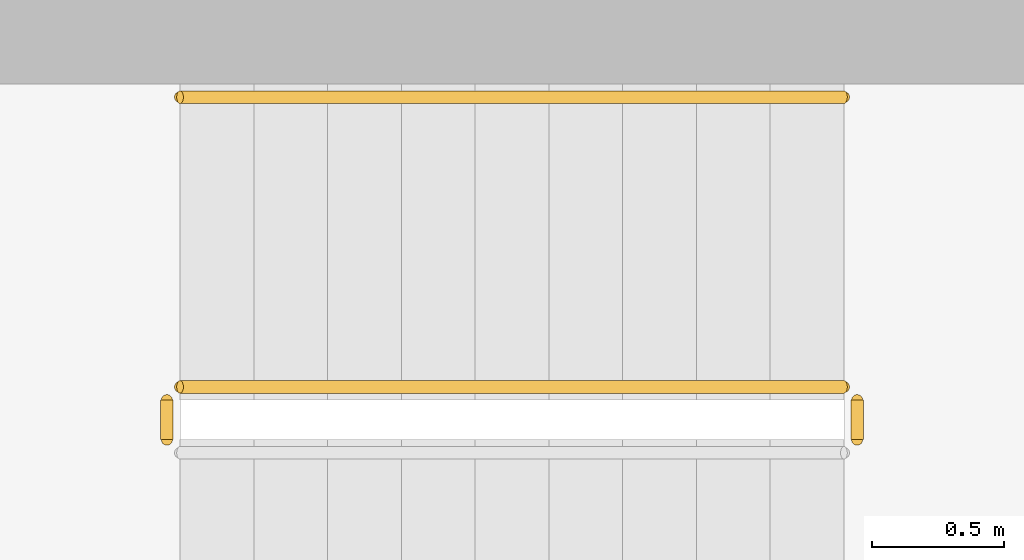
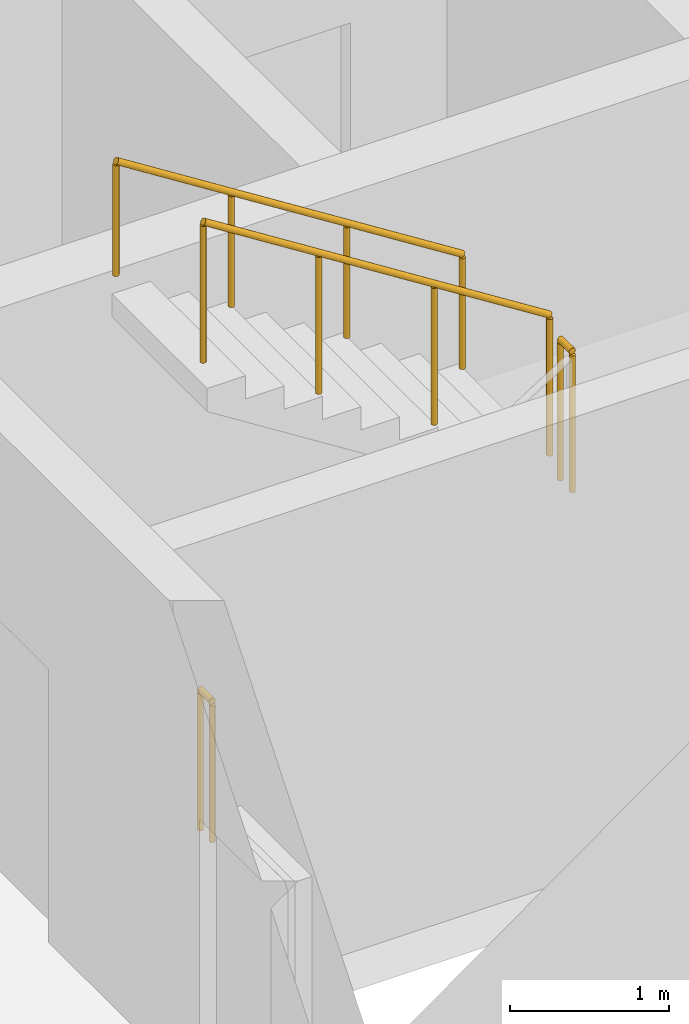
# One storey, part 15 of 17: 4 railings.
"""IFC4 building model written with IfcOpenShell, lengths in metres."""

from ifc_helpers import new_model, si_unit, direction, frame, origin, origin_2d, place, context, subcontext, project, spatial, circle, extrude, material, type_object, element, save


model = new_model("IFC4")

# Units and contexts
model_context = context("Model", 3, precision=1e-05, world=origin(), true_north=direction((0.0, 1.0)))
body_context = subcontext(model_context, "Body", "Model", "MODEL_VIEW")
ifc_project = project(units=[si_unit("LENGTHUNIT", "METRE"), si_unit("AREAUNIT", "SQUARE_METRE"), si_unit("VOLUMEUNIT", "CUBIC_METRE"), si_unit("PLANEANGLEUNIT", "RADIAN"), si_unit("MASSUNIT", "GRAM", prefix="KILO")], contexts=[model_context])

# Site, building, storey
site_placement = place(None, origin())
site = spatial("IfcSite", under=ifc_project, at=site_placement, CompositionType="ELEMENT")
building_placement = place(site_placement, origin())
building = spatial("IfcBuilding", under=site, at=building_placement, Name="Ostrand Prow Hotel Tower", CompositionType="ELEMENT")
storey_placement = place(building_placement, frame((0.0, 0.0, 113.300048828125)))
storey = spatial("IfcBuildingStorey", under=building, at=storey_placement, Name="L27", CompositionType="ELEMENT", Elevation=113.300048828125)

# Railings
ifc_material_1 = material(Name="Painted steel", Category="steel")
railing_type_1 = type_object("IfcRailingType", Name="Stair guard 1100", PredefinedType="GUARDRAIL", material=ifc_material_1)
railing_1_placement = place(storey_placement, frame((59.77001953125, -11.699951171875, 1.77490234375)))
element("IfcRailing", 1, at=railing_1_placement, inside=storey, type_object=railing_type_1, Name="L27 ST2C stair guard 2", PredefinedType="GUARDRAIL", context=body_context, shape_type="SweptSolid", body=[
    extrude(circle(Radius=0.02392578125, at=origin_2d()), frame((0.0, 0.0, 1.076171875), z_axis=(0.0, 1.0, 0.0), x_axis=(-1.0, 0.0, 0.0)), (0.0, 0.0, 1.0), 0.14990234375),
    extrude(circle(Radius=0.02099609375, at=origin_2d()), origin(), (0.0, 0.0, 1.0), 1.052001953125),
    extrude(circle(Radius=0.02099609375, at=origin_2d()), frame((0.0, 0.14990234375, 0.0)), (0.0, 0.0, 1.0), 1.052001953125),
])
railing_2_placement = place(storey_placement, frame((59.719970703125, -11.5, 1.952392578125)))
element("IfcRailing", 2, at=railing_2_placement, inside=storey, type_object=railing_type_1, Name="L27 ST2C stair guard 3", PredefinedType="GUARDRAIL", context=body_context, shape_type="SweptSolid", body=[
    extrude(circle(Radius=0.02392578125, at=origin_2d()), frame((0.0, 0.0, 1.076171875), z_axis=(-0.84456994832, 0.0, 0.535445237532), x_axis=(0.0, -1.0, 0.0)), (0.0, 0.0, 1.0), 2.98388671875),
    extrude(circle(Radius=0.02099609375, at=origin_2d()), origin(), (0.0, 0.0, 1.0), 1.052001953125),
    extrude(circle(Radius=0.02099609375, at=origin_2d()), frame((-0.840087890625, 0.0, 0.532470703125)), (0.0, 0.0, 1.0), 1.052001953125),
    extrude(circle(Radius=0.02099609375, at=origin_2d()), frame((-1.679931640625, 0.0, 1.065185546875)), (0.0, 0.0, 1.0), 1.052001953125),
    extrude(circle(Radius=0.02099609375, at=origin_2d()), frame((-2.52001953125, 0.0, 1.59765625)), (0.0, 0.0, 1.0), 1.052001953125),
])
railing_3_placement = place(storey_placement, frame((57.14990234375, -11.699951171875, 0.0)))
element("IfcRailing", 3, at=railing_3_placement, inside=storey, type_object=railing_type_1, Name="L27 ST2C stair guard 4", PredefinedType="GUARDRAIL", context=body_context, shape_type="SweptSolid", body=[
    extrude(circle(Radius=0.02392578125, at=origin_2d()), frame((0.0, 0.0, 1.076171875), z_axis=(0.0, 1.0, 0.0), x_axis=(-1.0, 0.0, 0.0)), (0.0, 0.0, 1.0), 0.14990234375),
    extrude(circle(Radius=0.02099609375, at=origin_2d()), origin(), (0.0, 0.0, 1.0), 1.052001953125),
    extrude(circle(Radius=0.02099609375, at=origin_2d()), frame((0.0, 0.14990234375, 0.0)), (0.0, 0.0, 1.0), 1.052001953125),
])
ifc_material_2 = material(Name="Stainless steel", Category="steel")
railing_type_2 = type_object("IfcRailingType", Name="Stair handrail 900", PredefinedType="HANDRAIL", material=ifc_material_2)
railing_4_placement = place(storey_placement, frame((59.719970703125, -10.39990234375, 1.952392578125)))
element("IfcRailing", 4, at=railing_4_placement, inside=storey, type_object=railing_type_2, Name="L27 ST2C stair handrail 2", PredefinedType="HANDRAIL", context=body_context, shape_type="SweptSolid", body=[
    extrude(circle(Radius=0.02392578125, at=origin_2d()), frame((0.0, 0.0, 0.8759765625), z_axis=(-0.84456994832, 0.0, 0.535445237532), x_axis=(0.0, -1.0, 0.0)), (0.0, 0.0, 1.0), 2.98388671875),
    extrude(circle(Radius=0.02099609375, at=origin_2d()), origin(), (0.0, 0.0, 1.0), 0.851806640625),
    extrude(circle(Radius=0.02099609375, at=origin_2d()), frame((-0.840087890625, 0.0, 0.532470703125)), (0.0, 0.0, 1.0), 0.851806640625),
    extrude(circle(Radius=0.02099609375, at=origin_2d()), frame((-1.679931640625, 0.0, 1.065185546875)), (0.0, 0.0, 1.0), 0.851806640625),
    extrude(circle(Radius=0.02099609375, at=origin_2d()), frame((-2.52001953125, 0.0, 1.59765625)), (0.0, 0.0, 1.0), 0.851806640625),
])

save(model, "model.ifc")
